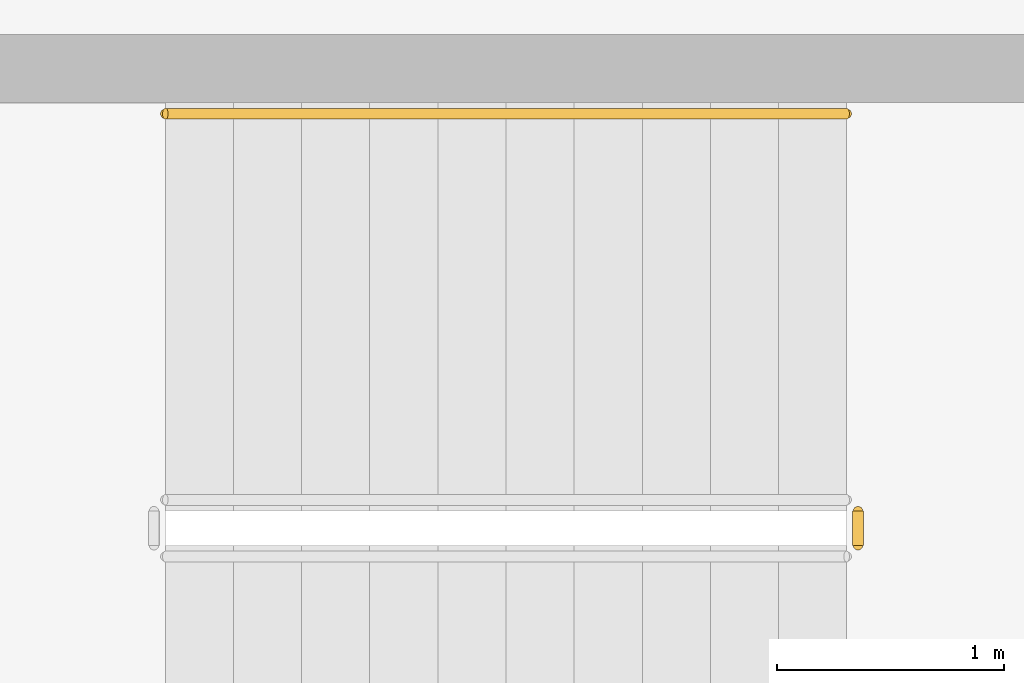
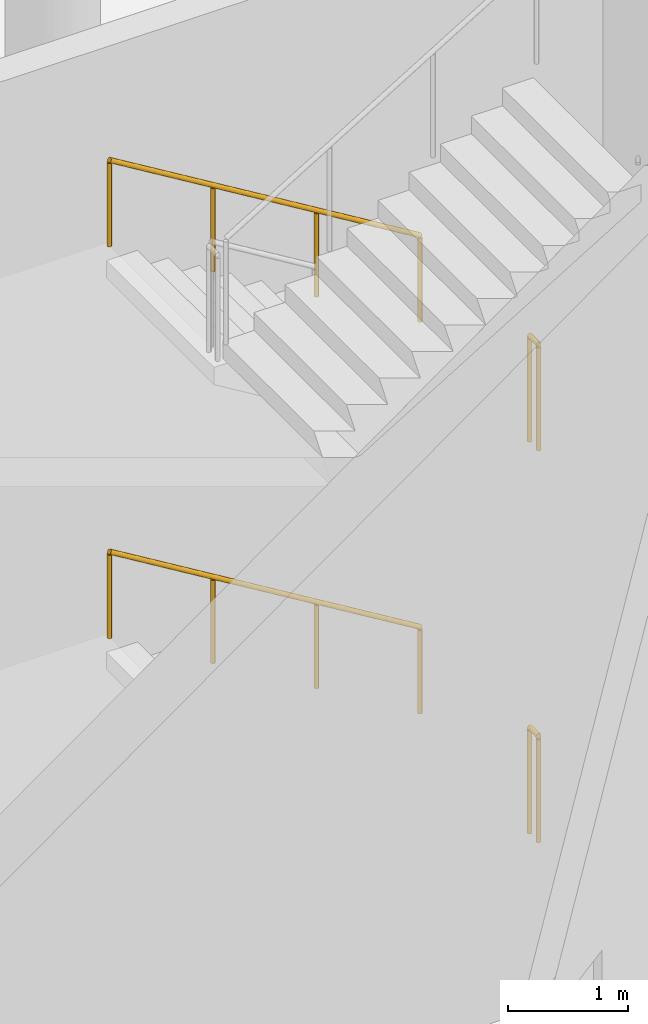
# One storey, part 20 of 23: 4 railings.
"""IFC4 building model written with IfcOpenShell, lengths in metres."""

import ifcopenshell
import ifcopenshell.guid

model = None  # the IFC model being written
_history = None  # IfcOwnerHistory: only IFC2X3 demands one
_inside = {}  # id of a spatial element -> (the spatial element, [elements in it])
_under = {}  # id of a project, library or spatial element -> (it, [spatial elements below it])
_declared = {}  # id of a project -> (the project, [libraries it declares])
_typed = {}  # id of a type object -> (the type object, [elements of that type])
_made_of = {}  # id of a material, layer set ... -> (it, [elements and type objects made of it])


def new_model(schema):
    """Start an empty IFC model of exactly this schema.

    Asked for "IFC4X3", IfcOpenShell would pick the latest addendum, in which some entities
    have other attributes; the version numbers below select the first issue.
    IFC2X3 requires an IfcOwnerHistory on every rooted entity: one is made here for all.
    """
    global model, _history
    if schema == "IFC4X3":
        model = ifcopenshell.file(schema_version=(4, 3, 0, 0))
    else:
        model = ifcopenshell.file(schema=schema)
    _inside.clear()
    _under.clear()
    _declared.clear()
    _typed.clear()
    _made_of.clear()
    _history = None
    if model.schema == "IFC2X3":
        org = make("IfcOrganization", Name="unknown")
        user = make(
            "IfcPersonAndOrganization",
            ThePerson=make("IfcPerson", FamilyName="unknown"),
            TheOrganization=org,
        )
        app = make(
            "IfcApplication",
            ApplicationDeveloper=org,
            Version="unknown",
            ApplicationFullName="unknown",
            ApplicationIdentifier="unknown",
        )
        _history = make(
            "IfcOwnerHistory",
            OwningUser=user,
            OwningApplication=app,
            ChangeAction="ADDED",
            CreationDate=0,
        )
    return model


def make(cls, **values):
    """One entity of the class cls with the attributes given. An attribute that is None is left unset."""
    return model.create_entity(
        cls, **{name: value for name, value in values.items() if value is not None}
    )


def rooted(cls, **values):
    """An entity with a GlobalId (a new one), such as an element, a storey or a relation."""
    return make(cls, GlobalId=ifcopenshell.guid.new(), OwnerHistory=_history, **values)


def si_unit(unit_type, name, prefix=None):
    """IfcSIUnit, for example si_unit("LENGTHUNIT", "METRE", prefix="MILLI")."""
    return make("IfcSIUnit", UnitType=unit_type, Prefix=prefix, Name=name)


def assignment(units):
    """IfcUnitAssignment: the units of a project."""
    return None if units is None else make("IfcUnitAssignment", Units=units)


def point(xyz):
    """IfcCartesianPoint."""
    return None if xyz is None else make("IfcCartesianPoint", Coordinates=xyz)


def direction(xyz):
    """IfcDirection."""
    return None if xyz is None else make("IfcDirection", DirectionRatios=xyz)


def frame(location, z_axis=None, x_axis=None):
    """IfcAxis2Placement3D, a coordinate frame: its origin and axes. An axis left out is left unset."""
    return make(
        "IfcAxis2Placement3D",
        Location=point(location),
        Axis=direction(z_axis),
        RefDirection=direction(x_axis),
    )


def frame_2d(location, x_axis=None):
    """IfcAxis2Placement2D, a coordinate frame in the plane: its origin and x axis."""
    return make(
        "IfcAxis2Placement2D", Location=point(location), RefDirection=direction(x_axis)
    )


def origin():
    """The frame at (0, 0, 0) with its axes left unset."""
    return frame((0.0, 0.0, 0.0))


def origin_2d():
    """The frame at (0, 0) in the plane with its x axis left unset."""
    return frame_2d((0.0, 0.0))


def place(relative_to, where):
    """IfcLocalPlacement: puts the frame where relative to a parent placement (None: the world)."""
    return make(
        "IfcLocalPlacement", PlacementRelTo=relative_to, RelativePlacement=where
    )


def context(
    kind, dimensions, precision=None, world=None, true_north=None, identifier=None
):
    """IfcGeometricRepresentationContext, for example the 3D "Model" context."""
    return make(
        "IfcGeometricRepresentationContext",
        ContextIdentifier=identifier,
        ContextType=kind,
        CoordinateSpaceDimension=dimensions,
        Precision=precision,
        WorldCoordinateSystem=world,
        TrueNorth=true_north,
    )


def subcontext(parent, identifier, kind, view, scale=None):
    """IfcGeometricRepresentationSubContext, for example "Body" below "Model"."""
    return make(
        "IfcGeometricRepresentationSubContext",
        ContextIdentifier=identifier,
        ContextType=kind,
        ParentContext=parent,
        TargetScale=scale,
        TargetView=view,
    )


def project(units=None, contexts=None):
    """IfcProject with its units and contexts."""
    return rooted(
        "IfcProject",
        Name="project",
        RepresentationContexts=contexts,
        UnitsInContext=assignment(units),
    )


def spatial(cls, under=None, at=None, **own):
    """A site, building, storey or space (cls), placed at a placement, below another one or the project."""
    s = rooted(cls, ObjectPlacement=at, **own)
    if under is not None:
        _under.setdefault(under.id(), (under, []))[1].append(s)
    return s


def profile(cls, at=None, kind="AREA", **sizes):
    """A parametric profile (cls). Its sizes go by their IFC names, for example OverallWidth=200.0."""
    return make(cls, ProfileType=kind, Position=at, **sizes)


def circle(**sizes):
    """IfcCircleProfileDef."""
    return profile("IfcCircleProfileDef", **sizes)


def extrude(swept, where, along, depth):
    """IfcExtrudedAreaSolid: the profile swept, set in the frame where, extruded along a direction by depth."""
    return make(
        "IfcExtrudedAreaSolid",
        SweptArea=swept,
        Position=where,
        ExtrudedDirection=direction(along),
        Depth=depth,
    )


def shape(context_of_items, identifier, shape_type, items):
    """IfcShapeRepresentation: the items that make up one representation, for example the "Body"."""
    return make(
        "IfcShapeRepresentation",
        ContextOfItems=context_of_items,
        RepresentationIdentifier=identifier,
        RepresentationType=shape_type,
        Items=items,
    )


def material(Name=None, Category=None):
    """IfcMaterial."""
    return make("IfcMaterial", Name=Name, Category=Category)


def made_of(thing, what):
    """Note that an element or type object is made of a material, layer set ...; save() writes the relation."""
    if what is not None:
        _made_of.setdefault(what.id(), (what, []))[1].append(thing)
    return thing


def type_object(cls, material=None, **own):
    """A type object (cls), such as IfcWallType, which elements share."""
    return made_of(rooted(cls, **own), material)


def element(
    cls,
    number,
    at=None,
    inside=None,
    cuts=None,
    type_object=None,
    material=None,
    context=None,
    identifier="Body",
    shape_type=None,
    held_by="IfcProductDefinitionShape",
    body=None,
    shapes=None,
    **own,
):
    """One element of the class cls, such as IfcWall. Its Tag is "e" and its number.

    at: its placement. inside: the storey or other place that contains it. cuts: it is an
    opening in that element (IfcRelVoidsElement). A single representation is given by context,
    identifier, shape_type and body (its items); several are given by shapes. held_by: the class
    of the entity that holds the representations. save() writes the other relations.
    """
    e = rooted(cls, Tag="e%d" % number, ObjectPlacement=at, **own)
    if body is not None:
        shapes = [shape(context, identifier, shape_type, body)]
    if shapes is not None:
        e.Representation = make(held_by, Representations=shapes)
    if inside is not None:
        _inside.setdefault(inside.id(), (inside, []))[1].append(e)
    if cuts is not None:
        rooted(
            "IfcRelVoidsElement", RelatingBuildingElement=cuts, RelatedOpeningElement=e
        )
    if type_object is not None:
        _typed.setdefault(type_object.id(), (type_object, []))[1].append(e)
    return made_of(e, material)


def aggregate(whole, parts):
    """IfcRelAggregates: a whole, such as a stair, and the parts it consists of."""
    return rooted("IfcRelAggregates", RelatingObject=whole, RelatedObjects=parts)


def save(model, path):
    """Write the relations noted so far, then the file.

    IfcRelAggregates (storeys below a building ...), IfcRelContainedInSpatialStructure (elements
    in a storey), IfcRelDefinesByType, IfcRelAssociatesMaterial and IfcRelDeclares: one each for
    every whole, place, type object, material and project.
    """
    for whole, parts in _under.values():
        aggregate(whole, parts)
    for where, things in _inside.values():
        rooted(
            "IfcRelContainedInSpatialStructure",
            RelatedElements=things,
            RelatingStructure=where,
        )
    for kind, things in _typed.values():
        rooted("IfcRelDefinesByType", RelatedObjects=things, RelatingType=kind)
    for what, things in _made_of.values():
        rooted("IfcRelAssociatesMaterial", RelatedObjects=things, RelatingMaterial=what)
    for by, libraries in _declared.values():
        rooted("IfcRelDeclares", RelatingContext=by, RelatedDefinitions=libraries)
    model.write(path)


model = new_model("IFC4")

# Units and contexts
model_context = context("Model", 3, precision=1e-05, world=origin(), true_north=direction((0.0, 1.0)))
body_context = subcontext(model_context, "Body", "Model", "MODEL_VIEW")
ifc_project = project(units=[si_unit("LENGTHUNIT", "METRE"), si_unit("AREAUNIT", "SQUARE_METRE"), si_unit("VOLUMEUNIT", "CUBIC_METRE"), si_unit("PLANEANGLEUNIT", "RADIAN"), si_unit("MASSUNIT", "GRAM", prefix="KILO")], contexts=[model_context])

# Site, building, storey
site_placement = place(None, origin())
site = spatial("IfcSite", under=ifc_project, at=site_placement, CompositionType="ELEMENT")
building_placement = place(site_placement, origin())
building = spatial("IfcBuilding", under=site, at=building_placement, Name="White Candle Pilgrim Tower", CompositionType="ELEMENT")
storey_placement = place(building_placement, frame((0.0, 0.0, 15.0)))
storey = spatial("IfcBuildingStorey", under=building, at=storey_placement, Name="L02", CompositionType="ELEMENT", Elevation=15.0)

# Railings
ifc_material = material(Name="Stainless steel", Category="steel")
railing_type_1 = type_object("IfcRailingType", Name="Stair guard stainless steel 1100 mm", PredefinedType="GUARDRAIL", material=ifc_material)
for number, where, name in (
    (1, (80.35009765625, 43.550048828125, 4.0), "L02 ST7 stair guard 4"),
    (2, (80.35009765625, 43.550048828125, 0.0), "L02 ST7 stair guard 8"),
):
    element("IfcRailing", number, at=place(storey_placement, frame(where)), inside=storey, type_object=railing_type_1, Name=name, PredefinedType="GUARDRAIL", context=body_context, shape_type="SweptSolid", body=[
        extrude(circle(Radius=0.02392578125, at=origin_2d()), frame((0.0, 0.0, 1.076171875), z_axis=(0.0, -1.0, 0.0), x_axis=(1.0, 0.0, 0.0)), (0.0, 0.0, 1.0), 0.150146484375),
        extrude(circle(Radius=0.02099609375, at=origin_2d()), origin(), (0.0, 0.0, 1.0), 1.052001953125),
        extrude(circle(Radius=0.02099609375, at=origin_2d()), frame((0.0, -0.150146484375, 0.0)), (0.0, 0.0, 1.0), 1.052001953125),
    ])
railing_type_2 = type_object("IfcRailingType", Name="Stair handrail stainless steel", PredefinedType="HANDRAIL", material=ifc_material)
for number, where, name in (
    (3, (80.300048828125, 45.300048828125, 0.181884765625), "L02 ST7 stair handrail 1"),
    (4, (80.300048828125, 45.300048828125, 4.181884765625), "L02 ST7 stair handrail 3"),
):
    element("IfcRailing", number, at=place(storey_placement, frame(where)), inside=storey, type_object=railing_type_2, Name=name, PredefinedType="HANDRAIL", context=body_context, shape_type="SweptSolid", body=[
        extrude(circle(Radius=0.02392578125, at=origin_2d()), frame((0.0, 0.0, 0.8759765625), z_axis=(-0.855206244763, 0.0, 0.518287834045), x_axis=(0.0, -1.0, 0.0)), (0.0, 0.0, 1.0), 3.5078125),
        extrude(circle(Radius=0.02099609375, at=origin_2d()), origin(), (0.0, 0.0, 1.0), 0.851806640625),
        extrude(circle(Radius=0.02099609375, at=origin_2d()), frame((-1.0, 0.0, 0.60595703125)), (0.0, 0.0, 1.0), 0.851806640625),
        extrude(circle(Radius=0.02099609375, at=origin_2d()), frame((-2.0, 0.0, 1.212158203125)), (0.0, 0.0, 1.0), 0.851806640625),
        extrude(circle(Radius=0.02099609375, at=origin_2d()), frame((-3.0, 0.0, 1.818115234375)), (0.0, 0.0, 1.0), 0.851806640625),
    ])

save(model, "model.ifc")
